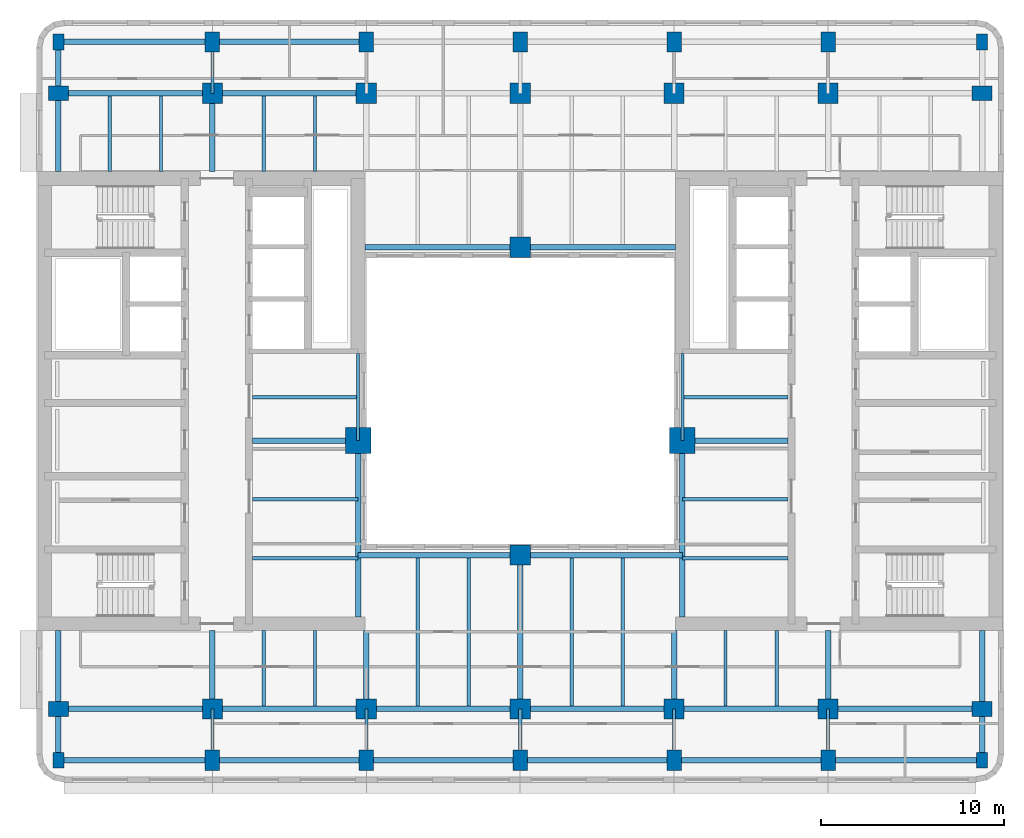
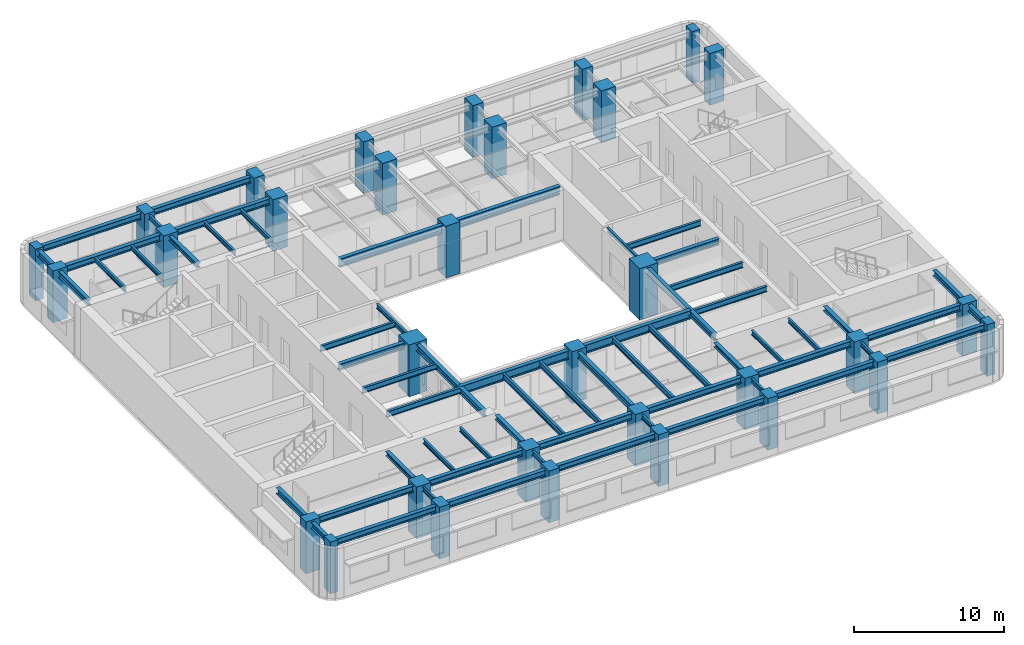
# One storey, part 1 of 11: 62 beams, 32 columns.
"""IFC4 building model written with IfcOpenShell, lengths in metres."""

import ifcopenshell
import ifcopenshell.guid

model = None  # the IFC model being written
_history = None  # IfcOwnerHistory: only IFC2X3 demands one
_inside = {}  # id of a spatial element -> (the spatial element, [elements in it])
_under = {}  # id of a project, library or spatial element -> (it, [spatial elements below it])
_declared = {}  # id of a project -> (the project, [libraries it declares])
_typed = {}  # id of a type object -> (the type object, [elements of that type])
_made_of = {}  # id of a material, layer set ... -> (it, [elements and type objects made of it])


def new_model(schema):
    """Start an empty IFC model of exactly this schema.

    Asked for "IFC4X3", IfcOpenShell would pick the latest addendum, in which some entities
    have other attributes; the version numbers below select the first issue.
    IFC2X3 requires an IfcOwnerHistory on every rooted entity: one is made here for all.
    """
    global model, _history
    if schema == "IFC4X3":
        model = ifcopenshell.file(schema_version=(4, 3, 0, 0))
    else:
        model = ifcopenshell.file(schema=schema)
    _inside.clear()
    _under.clear()
    _declared.clear()
    _typed.clear()
    _made_of.clear()
    _history = None
    if model.schema == "IFC2X3":
        org = make("IfcOrganization", Name="unknown")
        user = make(
            "IfcPersonAndOrganization",
            ThePerson=make("IfcPerson", FamilyName="unknown"),
            TheOrganization=org,
        )
        app = make(
            "IfcApplication",
            ApplicationDeveloper=org,
            Version="unknown",
            ApplicationFullName="unknown",
            ApplicationIdentifier="unknown",
        )
        _history = make(
            "IfcOwnerHistory",
            OwningUser=user,
            OwningApplication=app,
            ChangeAction="ADDED",
            CreationDate=0,
        )
    return model


def make(cls, **values):
    """One entity of the class cls with the attributes given. An attribute that is None is left unset."""
    return model.create_entity(
        cls, **{name: value for name, value in values.items() if value is not None}
    )


def rooted(cls, **values):
    """An entity with a GlobalId (a new one), such as an element, a storey or a relation."""
    return make(cls, GlobalId=ifcopenshell.guid.new(), OwnerHistory=_history, **values)


def si_unit(unit_type, name, prefix=None):
    """IfcSIUnit, for example si_unit("LENGTHUNIT", "METRE", prefix="MILLI")."""
    return make("IfcSIUnit", UnitType=unit_type, Prefix=prefix, Name=name)


def assignment(units):
    """IfcUnitAssignment: the units of a project."""
    return None if units is None else make("IfcUnitAssignment", Units=units)


def point(xyz):
    """IfcCartesianPoint."""
    return None if xyz is None else make("IfcCartesianPoint", Coordinates=xyz)


def direction(xyz):
    """IfcDirection."""
    return None if xyz is None else make("IfcDirection", DirectionRatios=xyz)


def frame(location, z_axis=None, x_axis=None):
    """IfcAxis2Placement3D, a coordinate frame: its origin and axes. An axis left out is left unset."""
    return make(
        "IfcAxis2Placement3D",
        Location=point(location),
        Axis=direction(z_axis),
        RefDirection=direction(x_axis),
    )


def frame_2d(location, x_axis=None):
    """IfcAxis2Placement2D, a coordinate frame in the plane: its origin and x axis."""
    return make(
        "IfcAxis2Placement2D", Location=point(location), RefDirection=direction(x_axis)
    )


def origin():
    """The frame at (0, 0, 0) with its axes left unset."""
    return frame((0.0, 0.0, 0.0))


def origin_2d():
    """The frame at (0, 0) in the plane with its x axis left unset."""
    return frame_2d((0.0, 0.0))


def place(relative_to, where):
    """IfcLocalPlacement: puts the frame where relative to a parent placement (None: the world)."""
    return make(
        "IfcLocalPlacement", PlacementRelTo=relative_to, RelativePlacement=where
    )


def context(
    kind, dimensions, precision=None, world=None, true_north=None, identifier=None
):
    """IfcGeometricRepresentationContext, for example the 3D "Model" context."""
    return make(
        "IfcGeometricRepresentationContext",
        ContextIdentifier=identifier,
        ContextType=kind,
        CoordinateSpaceDimension=dimensions,
        Precision=precision,
        WorldCoordinateSystem=world,
        TrueNorth=true_north,
    )


def subcontext(parent, identifier, kind, view, scale=None):
    """IfcGeometricRepresentationSubContext, for example "Body" below "Model"."""
    return make(
        "IfcGeometricRepresentationSubContext",
        ContextIdentifier=identifier,
        ContextType=kind,
        ParentContext=parent,
        TargetScale=scale,
        TargetView=view,
    )


def project(units=None, contexts=None):
    """IfcProject with its units and contexts."""
    return rooted(
        "IfcProject",
        Name="project",
        RepresentationContexts=contexts,
        UnitsInContext=assignment(units),
    )


def spatial(cls, under=None, at=None, **own):
    """A site, building, storey or space (cls), placed at a placement, below another one or the project."""
    s = rooted(cls, ObjectPlacement=at, **own)
    if under is not None:
        _under.setdefault(under.id(), (under, []))[1].append(s)
    return s


def profile(cls, at=None, kind="AREA", **sizes):
    """A parametric profile (cls). Its sizes go by their IFC names, for example OverallWidth=200.0."""
    return make(cls, ProfileType=kind, Position=at, **sizes)


def rectangle(**sizes):
    """IfcRectangleProfileDef."""
    return profile("IfcRectangleProfileDef", **sizes)


def i_section(**sizes):
    """IfcIShapeProfileDef."""
    return profile("IfcIShapeProfileDef", **sizes)


def extrude(swept, where, along, depth):
    """IfcExtrudedAreaSolid: the profile swept, set in the frame where, extruded along a direction by depth."""
    return make(
        "IfcExtrudedAreaSolid",
        SweptArea=swept,
        Position=where,
        ExtrudedDirection=direction(along),
        Depth=depth,
    )


def shape(context_of_items, identifier, shape_type, items):
    """IfcShapeRepresentation: the items that make up one representation, for example the "Body"."""
    return make(
        "IfcShapeRepresentation",
        ContextOfItems=context_of_items,
        RepresentationIdentifier=identifier,
        RepresentationType=shape_type,
        Items=items,
    )


def material(Name=None, Category=None):
    """IfcMaterial."""
    return make("IfcMaterial", Name=Name, Category=Category)


def material_profile(
    of_material, cross_section, Name=None, Category=None, Priority=None
):
    """IfcMaterialProfile: a cross section and its material."""
    return make(
        "IfcMaterialProfile",
        Name=Name,
        Material=of_material,
        Profile=cross_section,
        Priority=Priority,
        Category=Category,
    )


def profile_set(profiles, Name=None, composite=None):
    """IfcMaterialProfileSet."""
    return make(
        "IfcMaterialProfileSet",
        Name=Name,
        MaterialProfiles=profiles,
        CompositeProfile=composite,
    )


def made_of(thing, what):
    """Note that an element or type object is made of a material, layer set ...; save() writes the relation."""
    if what is not None:
        _made_of.setdefault(what.id(), (what, []))[1].append(thing)
    return thing


def type_object(cls, material=None, **own):
    """A type object (cls), such as IfcWallType, which elements share."""
    return made_of(rooted(cls, **own), material)


def element(
    cls,
    number,
    at=None,
    inside=None,
    cuts=None,
    type_object=None,
    material=None,
    context=None,
    identifier="Body",
    shape_type=None,
    held_by="IfcProductDefinitionShape",
    body=None,
    shapes=None,
    **own,
):
    """One element of the class cls, such as IfcWall. Its Tag is "e" and its number.

    at: its placement. inside: the storey or other place that contains it. cuts: it is an
    opening in that element (IfcRelVoidsElement). A single representation is given by context,
    identifier, shape_type and body (its items); several are given by shapes. held_by: the class
    of the entity that holds the representations. save() writes the other relations.
    """
    e = rooted(cls, Tag="e%d" % number, ObjectPlacement=at, **own)
    if body is not None:
        shapes = [shape(context, identifier, shape_type, body)]
    if shapes is not None:
        e.Representation = make(held_by, Representations=shapes)
    if inside is not None:
        _inside.setdefault(inside.id(), (inside, []))[1].append(e)
    if cuts is not None:
        rooted(
            "IfcRelVoidsElement", RelatingBuildingElement=cuts, RelatedOpeningElement=e
        )
    if type_object is not None:
        _typed.setdefault(type_object.id(), (type_object, []))[1].append(e)
    return made_of(e, material)


def aggregate(whole, parts):
    """IfcRelAggregates: a whole, such as a stair, and the parts it consists of."""
    return rooted("IfcRelAggregates", RelatingObject=whole, RelatedObjects=parts)


def save(model, path):
    """Write the relations noted so far, then the file.

    IfcRelAggregates (storeys below a building ...), IfcRelContainedInSpatialStructure (elements
    in a storey), IfcRelDefinesByType, IfcRelAssociatesMaterial and IfcRelDeclares: one each for
    every whole, place, type object, material and project.
    """
    for whole, parts in _under.values():
        aggregate(whole, parts)
    for where, things in _inside.values():
        rooted(
            "IfcRelContainedInSpatialStructure",
            RelatedElements=things,
            RelatingStructure=where,
        )
    for kind, things in _typed.values():
        rooted("IfcRelDefinesByType", RelatedObjects=things, RelatingType=kind)
    for what, things in _made_of.values():
        rooted("IfcRelAssociatesMaterial", RelatedObjects=things, RelatingMaterial=what)
    for by, libraries in _declared.values():
        rooted("IfcRelDeclares", RelatingContext=by, RelatedDefinitions=libraries)
    model.write(path)


model = new_model("IFC4")

# Units and contexts
model_context = context("Model", 3, precision=1e-05, world=origin(), true_north=direction((0.0, 1.0)))
body_context = subcontext(model_context, "Body", "Model", "MODEL_VIEW")
ifc_project = project(units=[si_unit("LENGTHUNIT", "METRE"), si_unit("AREAUNIT", "SQUARE_METRE"), si_unit("VOLUMEUNIT", "CUBIC_METRE"), si_unit("PLANEANGLEUNIT", "RADIAN"), si_unit("MASSUNIT", "GRAM", prefix="KILO")], contexts=[model_context])

# Site, building, storey
site_placement = place(None, origin())
site = spatial("IfcSite", under=ifc_project, at=site_placement, CompositionType="ELEMENT")
building_placement = place(site_placement, origin())
building = spatial("IfcBuilding", under=site, at=building_placement, Name="Claustro Exchange Tower", CompositionType="ELEMENT")
storey_placement = place(building_placement, frame((0.0, 0.0, 211.199951171875)))
storey = spatial("IfcBuildingStorey", under=building, at=storey_placement, Name="L48", CompositionType="ELEMENT", Elevation=211.199951171875)

# Columns
ifc_material_1 = material(Name="Concrete HA-70 (C70/85)", Category="concrete")
ifc_material_profile_1 = material_profile(ifc_material_1, rectangle(XDim=1.39990234375, YDim=1.39990234375, at=origin_2d()), Name="RC 1400x1400")
ifc_profile_set_1 = profile_set([ifc_material_profile_1], Name="Concrete HA-70 (C70/85)")
column_type_1 = type_object("IfcColumnType", Name="C0 RC 1400x1400 HA-70 column", PredefinedType="COLUMN", material=ifc_profile_set_1)
for number, where, z_axis, x_axis, name in (
    (1, (16.35009765625, 23.050048828125, 0.0), (0.0, 0.0, 1.0), (1.0, 0.0, 0.0), "Column C0 2+7950/C+6250 L48"),
    (2, (34.050048828125, 23.050048828125, 0.0), (0.0, 0.0, 1.0), (1.0, 0.0, 0.0), "Column C0 5+450/C+6250 L48"),
):
    element("IfcColumn", number, at=place(storey_placement, frame(where, z_axis=z_axis, x_axis=x_axis)), inside=storey, type_object=column_type_1, Name=name, PredefinedType="COLUMN", context=body_context, shape_type="SweptSolid", body=[
        extrude(rectangle(XDim=1.39990234375, YDim=1.39990234375, at=origin_2d()), origin(), (0.0, 0.0, 1.0), 4.199951171875),
    ])
ifc_material_2 = material(Name="Concrete HA-70 (C70/85)", Category="concrete")
ifc_material_profile_2 = material_profile(ifc_material_2, rectangle(XDim=1.10009765625, YDim=1.10009765625, at=origin_2d()), Name="RC 1100x1100")
ifc_profile_set_2 = profile_set([ifc_material_profile_2], Name="Concrete HA-70 (C70/85)")
column_type_2 = type_object("IfcColumnType", Name="C17 RC 1100x1100 HA-70 column", PredefinedType="COLUMN", material=ifc_profile_set_2)
for number, where, z_axis, x_axis, name in (
    (3, (8.39990234375, 8.39990234375, 0.0), (0.0, 0.0, 1.0), (1.0, 0.0, 0.0), "Column C17 2/B L48"),
    (4, (8.39990234375, 42.0, 0.0), (0.0, 0.0, 1.0), (1.0, 0.0, 0.0), "Column C17 2/F L48"),
    (5, (16.800048828125, 8.39990234375, 0.0), (0.0, 0.0, 1.0), (1.0, 0.0, 0.0), "Column C17 3/B L48"),
    (6, (16.800048828125, 42.0, 0.0), (0.0, 0.0, 1.0), (1.0, 0.0, 0.0), "Column C17 3/F L48"),
    (7, (25.199951171875, 8.39990234375, 0.0), (0.0, 0.0, 1.0), (1.0, 0.0, 0.0), "Column C17 4/B L48"),
    (8, (25.199951171875, 42.0, 0.0), (0.0, 0.0, 1.0), (1.0, 0.0, 0.0), "Column C17 4/F L48"),
    (9, (25.199951171875, 16.800048828125, 0.0), (0.0, 0.0, 1.0), (1.0, 0.0, 0.0), "Column C17 4/C L48"),
    (10, (25.199951171875, 33.60009765625, 0.0), (0.0, 0.0, 1.0), (1.0, 0.0, 0.0), "Column C17 4/E L48"),
    (11, (33.60009765625, 8.39990234375, 0.0), (0.0, 0.0, 1.0), (1.0, 0.0, 0.0), "Column C17 5/B L48"),
    (12, (33.60009765625, 42.0, 0.0), (0.0, 0.0, 1.0), (1.0, 0.0, 0.0), "Column C17 5/F L48"),
    (13, (42.0, 8.39990234375, 0.0), (0.0, 0.0, 1.0), (1.0, 0.0, 0.0), "Column C17 6/B L48"),
    (14, (42.0, 42.0, 0.0), (0.0, 0.0, 1.0), (1.0, 0.0, 0.0), "Column C17 6/F L48"),
):
    element("IfcColumn", number, at=place(storey_placement, frame(where, z_axis=z_axis, x_axis=x_axis)), inside=storey, type_object=column_type_2, Name=name, PredefinedType="COLUMN", context=body_context, shape_type="SweptSolid", body=[
        extrude(rectangle(XDim=1.10009765625, YDim=1.10009765625, at=origin_2d()), origin(), (0.0, 0.0, 1.0), 4.199951171875),
    ])
ifc_material_3 = material(Name="Concrete HA-50 (C50/60)", Category="concrete")
ifc_material_profile_3 = material_profile(ifc_material_3, rectangle(XDim=0.800048828125, YDim=1.10009765625, at=origin_2d()), Name="RC 800x1100")
ifc_profile_set_3 = profile_set([ifc_material_profile_3], Name="Concrete HA-50 (C50/60)")
column_type_3 = type_object("IfcColumnType", Name="C23 RC 800x1100 HA-50 perimeter column", PredefinedType="COLUMN", material=ifc_profile_set_3)
for number, where, z_axis, x_axis, name in (
    (15, (0.0, 8.39990234375, 0.0), (0.0, 0.0, 1.0), (0.0, 1.0, 0.0), "Column C23 1/B L48"),
    (16, (0.0, 42.0, 0.0), (0.0, 0.0, 1.0), (0.0, 1.0, 0.0), "Column C23 1/F L48"),
    (17, (8.39990234375, 5.60009765625, 0.0), (0.0, 0.0, 1.0), (1.0, 0.0, 0.0), "Column C23 2/A+5600 L48"),
    (18, (8.39990234375, 44.800048828125, 0.0), (0.0, 0.0, 1.0), (1.0, 0.0, 0.0), "Column C23 2/F+2800 L48"),
    (19, (16.800048828125, 5.60009765625, 0.0), (0.0, 0.0, 1.0), (1.0, 0.0, 0.0), "Column C23 3/A+5600 L48"),
    (20, (16.800048828125, 44.800048828125, 0.0), (0.0, 0.0, 1.0), (1.0, 0.0, 0.0), "Column C23 3/F+2800 L48"),
    (21, (25.199951171875, 5.60009765625, 0.0), (0.0, 0.0, 1.0), (1.0, 0.0, 0.0), "Column C23 4/A+5600 L48"),
    (22, (25.199951171875, 44.800048828125, 0.0), (0.0, 0.0, 1.0), (1.0, 0.0, 0.0), "Column C23 4/F+2800 L48"),
    (23, (33.60009765625, 5.60009765625, 0.0), (0.0, 0.0, 1.0), (1.0, 0.0, 0.0), "Column C23 5/A+5600 L48"),
    (24, (33.60009765625, 44.800048828125, 0.0), (0.0, 0.0, 1.0), (1.0, 0.0, 0.0), "Column C23 5/F+2800 L48"),
    (25, (42.0, 5.60009765625, 0.0), (0.0, 0.0, 1.0), (1.0, 0.0, 0.0), "Column C23 6/A+5600 L48"),
    (26, (42.0, 44.800048828125, 0.0), (0.0, 0.0, 1.0), (1.0, 0.0, 0.0), "Column C23 6/F+2800 L48"),
    (27, (50.39990234375, 8.39990234375, 0.0), (0.0, 0.0, 1.0), (0.0, 1.0, 0.0), "Column C23 7/B L48"),
    (28, (50.39990234375, 42.0, 0.0), (0.0, 0.0, 1.0), (0.0, 1.0, 0.0), "Column C23 7/F L48"),
):
    element("IfcColumn", number, at=place(storey_placement, frame(where, z_axis=z_axis, x_axis=x_axis)), inside=storey, type_object=column_type_3, Name=name, PredefinedType="COLUMN", context=body_context, shape_type="SweptSolid", body=[
        extrude(rectangle(XDim=0.800048828125, YDim=1.10009765625, at=origin_2d()), origin(), (0.0, 0.0, 1.0), 4.199951171875),
    ])
ifc_material_4 = material(Name="Concrete HA-50 (C50/60)", Category="concrete")
ifc_material_profile_4 = material_profile(ifc_material_4, rectangle(XDim=0.60009765625, YDim=0.85009765625, at=origin_2d()), Name="RC 600x850")
ifc_profile_set_4 = profile_set([ifc_material_profile_4], Name="Concrete HA-50 (C50/60)")
column_type_4 = type_object("IfcColumnType", Name="C25 RC 600x850 HA-50 corner column", PredefinedType="COLUMN", material=ifc_profile_set_4)
for number, where, z_axis, x_axis, name in (
    (29, (0.0, 5.60009765625, 0.0), (0.0, 0.0, 1.0), (1.0, 0.0, 0.0), "Column C25 1/A+5600 L48"),
    (30, (0.0, 44.800048828125, 0.0), (0.0, 0.0, 1.0), (1.0, 0.0, 0.0), "Column C25 1/F+2800 L48"),
    (31, (50.39990234375, 5.60009765625, 0.0), (0.0, 0.0, 1.0), (1.0, 0.0, 0.0), "Column C25 7/A+5600 L48"),
    (32, (50.39990234375, 44.800048828125, 0.0), (0.0, 0.0, 1.0), (1.0, 0.0, 0.0), "Column C25 7/F+2800 L48"),
):
    element("IfcColumn", number, at=place(storey_placement, frame(where, z_axis=z_axis, x_axis=x_axis)), inside=storey, type_object=column_type_4, Name=name, PredefinedType="COLUMN", context=body_context, shape_type="SweptSolid", body=[
        extrude(rectangle(XDim=0.60009765625, YDim=0.85009765625, at=origin_2d()), origin(), (0.0, 0.0, 1.0), 4.199951171875),
    ])

# Beams
ifc_material_5 = material(Name="Steel S355", Category="steel")
ifc_material_profile_5 = material_profile(ifc_material_5, i_section(OverallWidth=0.300048828125, OverallDepth=0.68994140625, WebThickness=0.014404296875, FlangeThickness=0.027099609375, FilletRadius=0.027099609375, at=origin_2d()), Name="HE 700 A")
ifc_profile_set_5 = profile_set([ifc_material_profile_5], Name="Steel S355")
beam_type_1 = type_object("IfcBeamType", Name="B13 HE 700 A light well edge girder", PredefinedType="BEAM", material=ifc_profile_set_5)
beam_1_placement = place(storey_placement, frame((16.35009765625, 16.800048828125, 3.705078125), z_axis=(1.0, 0.0, 0.0), x_axis=(0.0, 1.0, 0.0)))
element("IfcBeam", 33, at=beam_1_placement, inside=storey, type_object=beam_type_1, Name="Beam B13 L49", PredefinedType="BEAM", context=body_context, shape_type="SweptSolid", body=[
    extrude(i_section(OverallWidth=0.300048828125, OverallDepth=0.68994140625, WebThickness=0.014404296875, FlangeThickness=0.027099609375, FilletRadius=0.027099609375, at=origin_2d()), origin(), (0.0, 0.0, 1.0), 8.849853515625),
])
beam_2_placement = place(storey_placement, frame((25.199951171875, 16.800048828125, 3.705078125), z_axis=(1.0, 0.0, 0.0), x_axis=(0.0, 1.0, 0.0)))
element("IfcBeam", 34, at=beam_2_placement, inside=storey, type_object=beam_type_1, Name="Beam B13 L49", PredefinedType="BEAM", context=body_context, shape_type="SweptSolid", body=[
    extrude(i_section(OverallWidth=0.300048828125, OverallDepth=0.68994140625, WebThickness=0.014404296875, FlangeThickness=0.027099609375, FilletRadius=0.027099609375, at=origin_2d()), origin(), (0.0, 0.0, 1.0), 8.85009765625),
])
beam_3_placement = place(storey_placement, frame((16.72509765625, 33.60009765625, 3.705078125), z_axis=(1.0, 0.0, 0.0), x_axis=(0.0, 1.0, 0.0)))
element("IfcBeam", 35, at=beam_3_placement, inside=storey, type_object=beam_type_1, Name="Beam B13 L49", PredefinedType="BEAM", context=body_context, shape_type="SweptSolid", body=[
    extrude(i_section(OverallWidth=0.300048828125, OverallDepth=0.68994140625, WebThickness=0.014404296875, FlangeThickness=0.027099609375, FilletRadius=0.027099609375, at=origin_2d()), origin(), (0.0, 0.0, 1.0), 8.474853515625),
])
beam_4_placement = place(storey_placement, frame((25.199951171875, 33.60009765625, 3.705078125), z_axis=(1.0, 0.0, 0.0), x_axis=(0.0, 1.0, 0.0)))
element("IfcBeam", 36, at=beam_4_placement, inside=storey, type_object=beam_type_1, Name="Beam B13 L49", PredefinedType="BEAM", context=body_context, shape_type="SweptSolid", body=[
    extrude(i_section(OverallWidth=0.300048828125, OverallDepth=0.68994140625, WebThickness=0.014404296875, FlangeThickness=0.027099609375, FilletRadius=0.027099609375, at=origin_2d()), origin(), (0.0, 0.0, 1.0), 8.47509765625),
])
ifc_material_6 = material(Name="Steel S355", Category="steel")
ifc_material_profile_6 = material_profile(ifc_material_6, i_section(OverallWidth=0.169921875, OverallDepth=0.360107421875, WebThickness=0.008056640625, FlangeThickness=0.0126953125, FilletRadius=0.01806640625, at=origin_2d()), Name="IPE 360")
ifc_profile_set_6 = profile_set([ifc_material_profile_6], Name="Steel S355")
beam_type_2 = type_object("IfcBeamType", Name="B16 IPE 360 short-span beam", PredefinedType="BEAM", material=ifc_profile_set_6)
beam_5_placement = place(storey_placement, frame((8.39990234375, 5.60009765625, 3.8701171875), z_axis=(0.0, 1.0, 0.0), x_axis=(-1.0, 0.0, 0.0)))
element("IfcBeam", 37, at=beam_5_placement, inside=storey, type_object=beam_type_2, Name="Beam B16 L49", PredefinedType="BEAM", context=body_context, shape_type="SweptSolid", body=[
    extrude(i_section(OverallWidth=0.169921875, OverallDepth=0.360107421875, WebThickness=0.008056640625, FlangeThickness=0.0126953125, FilletRadius=0.01806640625, at=origin_2d()), origin(), (0.0, 0.0, 1.0), 2.7998046875),
])
beam_6_placement = place(storey_placement, frame((8.39990234375, 42.0, 3.8701171875), z_axis=(0.0, 1.0, 0.0), x_axis=(-1.0, 0.0, 0.0)))
element("IfcBeam", 38, at=beam_6_placement, inside=storey, type_object=beam_type_2, Name="Beam B16 L49", PredefinedType="BEAM", context=body_context, shape_type="SweptSolid", body=[
    extrude(i_section(OverallWidth=0.169921875, OverallDepth=0.360107421875, WebThickness=0.008056640625, FlangeThickness=0.0126953125, FilletRadius=0.01806640625, at=origin_2d()), origin(), (0.0, 0.0, 1.0), 2.800048828125),
])
for number, where, z_axis, x_axis, name in (
    (39, (16.800048828125, 5.60009765625, 3.8701171875), (0.0, 1.0, 0.0), (-1.0, 0.0, 0.0), "Beam B16 L49"),
    (40, (25.199951171875, 5.60009765625, 3.8701171875), (0.0, 1.0, 0.0), (-1.0, 0.0, 0.0), "Beam B16 L49"),
    (41, (33.60009765625, 5.60009765625, 3.8701171875), (0.0, 1.0, 0.0), (-1.0, 0.0, 0.0), "Beam B16 L49"),
    (42, (42.0, 5.60009765625, 3.8701171875), (0.0, 1.0, 0.0), (-1.0, 0.0, 0.0), "Beam B16 L49"),
):
    element("IfcBeam", number, at=place(storey_placement, frame(where, z_axis=z_axis, x_axis=x_axis)), inside=storey, type_object=beam_type_2, Name=name, PredefinedType="BEAM", context=body_context, shape_type="SweptSolid", body=[
        extrude(i_section(OverallWidth=0.169921875, OverallDepth=0.360107421875, WebThickness=0.008056640625, FlangeThickness=0.0126953125, FilletRadius=0.01806640625, at=origin_2d()), origin(), (0.0, 0.0, 1.0), 2.7998046875),
    ])
for number, where, z_axis, x_axis, name in (
    (43, (2.800048828125, 37.72509765625, 3.8701171875), (0.0, 1.0, 0.0), (-1.0, 0.0, 0.0), "Beam B16 L49"),
    (44, (5.60009765625, 37.72509765625, 3.8701171875), (0.0, 1.0, 0.0), (-1.0, 0.0, 0.0), "Beam B16 L49"),
    (45, (11.199951171875, 8.550048828125, 3.8701171875), (0.0, 1.0, 0.0), (-1.0, 0.0, 0.0), "Beam B16 L49"),
    (46, (14.0, 8.550048828125, 3.8701171875), (0.0, 1.0, 0.0), (-1.0, 0.0, 0.0), "Beam B16 L49"),
    (47, (11.199951171875, 37.72509765625, 3.8701171875), (0.0, 1.0, 0.0), (-1.0, 0.0, 0.0), "Beam B16 L49"),
    (48, (14.0, 37.72509765625, 3.8701171875), (0.0, 1.0, 0.0), (-1.0, 0.0, 0.0), "Beam B16 L49"),
    (49, (36.39990234375, 8.550048828125, 3.8701171875), (0.0, 1.0, 0.0), (-1.0, 0.0, 0.0), "Beam B16 L49"),
    (50, (39.199951171875, 8.550048828125, 3.8701171875), (0.0, 1.0, 0.0), (-1.0, 0.0, 0.0), "Beam B16 L49"),
):
    element("IfcBeam", number, at=place(storey_placement, frame(where, z_axis=z_axis, x_axis=x_axis)), inside=storey, type_object=beam_type_2, Name=name, PredefinedType="BEAM", context=body_context, shape_type="SweptSolid", body=[
        extrude(i_section(OverallWidth=0.169921875, OverallDepth=0.360107421875, WebThickness=0.008056640625, FlangeThickness=0.0126953125, FilletRadius=0.01806640625, at=origin_2d()), origin(), (0.0, 0.0, 1.0), 4.125),
    ])
for number, where, z_axis, x_axis, name in (
    (51, (16.35009765625, 23.050048828125, 3.8701171875), (0.0, 1.0, 0.0), (-1.0, 0.0, 0.0), "Beam B16 core step framing L49"),
    (52, (34.050048828125, 23.050048828125, 3.8701171875), (0.0, 1.0, 0.0), (-1.0, 0.0, 0.0), "Beam B16 core step framing L49"),
):
    element("IfcBeam", number, at=place(storey_placement, frame(where, z_axis=z_axis, x_axis=x_axis)), inside=storey, type_object=beam_type_2, Name=name, PredefinedType="BEAM", context=body_context, shape_type="SweptSolid", body=[
        extrude(i_section(OverallWidth=0.169921875, OverallDepth=0.360107421875, WebThickness=0.008056640625, FlangeThickness=0.0126953125, FilletRadius=0.01806640625, at=origin_2d()), origin(), (0.0, 0.0, 1.0), 4.75),
    ])
ifc_material_7 = material(Name="Steel S355", Category="steel")
ifc_material_profile_7 = material_profile(ifc_material_7, i_section(OverallWidth=0.300048828125, OverallDepth=0.360107421875, WebThickness=0.012451171875, FlangeThickness=0.0224609375, FilletRadius=0.027099609375, at=origin_2d()), Name="HE 360 B")
ifc_profile_set_7 = profile_set([ifc_material_profile_7], Name="Steel S355")
beam_type_3 = type_object("IfcBeamType", Name="B29 HE 360 B column to core link beam", PredefinedType="BEAM", material=ifc_profile_set_7)
beam_7_placement = place(storey_placement, frame((8.39990234375, 8.39990234375, 3.8701171875), z_axis=(0.0, 1.0, 0.0), x_axis=(-1.0, 0.0, 0.0)))
element("IfcBeam", 53, at=beam_7_placement, inside=storey, type_object=beam_type_3, Name="Beam B29 L49", PredefinedType="BEAM", context=body_context, shape_type="SweptSolid", body=[
    extrude(i_section(OverallWidth=0.300048828125, OverallDepth=0.360107421875, WebThickness=0.012451171875, FlangeThickness=0.0224609375, FilletRadius=0.027099609375, at=origin_2d()), origin(), (0.0, 0.0, 1.0), 4.275146484375),
])
beam_8_placement = place(storey_placement, frame((8.39990234375, 37.72509765625, 3.8701171875), z_axis=(0.0, 1.0, 0.0), x_axis=(-1.0, 0.0, 0.0)))
element("IfcBeam", 54, at=beam_8_placement, inside=storey, type_object=beam_type_3, Name="Beam B29 L49", PredefinedType="BEAM", context=body_context, shape_type="SweptSolid", body=[
    extrude(i_section(OverallWidth=0.300048828125, OverallDepth=0.360107421875, WebThickness=0.012451171875, FlangeThickness=0.0224609375, FilletRadius=0.027099609375, at=origin_2d()), origin(), (0.0, 0.0, 1.0), 4.27490234375),
])
for number, where, z_axis, x_axis, name in (
    (55, (16.800048828125, 8.39990234375, 3.8701171875), (0.0, 1.0, 0.0), (-1.0, 0.0, 0.0), "Beam B29 L49"),
    (56, (33.60009765625, 8.39990234375, 3.8701171875), (0.0, 1.0, 0.0), (-1.0, 0.0, 0.0), "Beam B29 L49"),
    (57, (42.0, 8.39990234375, 3.8701171875), (0.0, 1.0, 0.0), (-1.0, 0.0, 0.0), "Beam B29 L49"),
):
    element("IfcBeam", number, at=place(storey_placement, frame(where, z_axis=z_axis, x_axis=x_axis)), inside=storey, type_object=beam_type_3, Name=name, PredefinedType="BEAM", context=body_context, shape_type="SweptSolid", body=[
        extrude(i_section(OverallWidth=0.300048828125, OverallDepth=0.360107421875, WebThickness=0.012451171875, FlangeThickness=0.0224609375, FilletRadius=0.027099609375, at=origin_2d()), origin(), (0.0, 0.0, 1.0), 4.275146484375),
    ])
ifc_material_8 = material(Name="Steel S355", Category="steel")
ifc_material_profile_8 = material_profile(ifc_material_8, i_section(OverallWidth=0.300048828125, OverallDepth=0.5, WebThickness=0.014404296875, FlangeThickness=0.028076171875, FilletRadius=0.027099609375, at=origin_2d()), Name="HE 500 B")
ifc_profile_set_8 = profile_set([ifc_material_profile_8], Name="Steel S355")
beam_type_4 = type_object("IfcBeamType", Name="B7 HE 500 B floor girder", PredefinedType="BEAM", material=ifc_profile_set_8)
beam_9_placement = place(storey_placement, frame((25.199951171875, 8.39990234375, 3.800048828125), z_axis=(0.0, 1.0, 0.0), x_axis=(-1.0, 0.0, 0.0)))
element("IfcBeam", 58, at=beam_9_placement, inside=storey, type_object=beam_type_4, Name="Beam B7 L49", PredefinedType="BEAM", context=body_context, shape_type="SweptSolid", body=[
    extrude(i_section(OverallWidth=0.300048828125, OverallDepth=0.5, WebThickness=0.014404296875, FlangeThickness=0.028076171875, FilletRadius=0.027099609375, at=origin_2d()), origin(), (0.0, 0.0, 1.0), 8.400146484375),
])
beam_10_placement = place(storey_placement, frame((0.0, 8.39990234375, 3.800048828125), z_axis=(1.0, 0.0, 0.0), x_axis=(0.0, 1.0, 0.0)))
element("IfcBeam", 59, at=beam_10_placement, inside=storey, type_object=beam_type_4, Name="Beam B7 L49", PredefinedType="BEAM", context=body_context, shape_type="SweptSolid", body=[
    extrude(i_section(OverallWidth=0.300048828125, OverallDepth=0.5, WebThickness=0.014404296875, FlangeThickness=0.028076171875, FilletRadius=0.027099609375, at=origin_2d()), origin(), (0.0, 0.0, 1.0), 8.39990234375),
])
beam_11_placement = place(storey_placement, frame((8.39990234375, 8.39990234375, 3.800048828125), z_axis=(1.0, 0.0, 0.0), x_axis=(0.0, 1.0, 0.0)))
element("IfcBeam", 60, at=beam_11_placement, inside=storey, type_object=beam_type_4, Name="Beam B7 L49", PredefinedType="BEAM", context=body_context, shape_type="SweptSolid", body=[
    extrude(i_section(OverallWidth=0.300048828125, OverallDepth=0.5, WebThickness=0.014404296875, FlangeThickness=0.028076171875, FilletRadius=0.027099609375, at=origin_2d()), origin(), (0.0, 0.0, 1.0), 8.400146484375),
])
beam_12_placement = place(storey_placement, frame((16.800048828125, 8.39990234375, 3.800048828125), z_axis=(1.0, 0.0, 0.0), x_axis=(0.0, 1.0, 0.0)))
element("IfcBeam", 61, at=beam_12_placement, inside=storey, type_object=beam_type_4, Name="Beam B7 L49", PredefinedType="BEAM", context=body_context, shape_type="SweptSolid", body=[
    extrude(i_section(OverallWidth=0.300048828125, OverallDepth=0.5, WebThickness=0.014404296875, FlangeThickness=0.028076171875, FilletRadius=0.027099609375, at=origin_2d()), origin(), (0.0, 0.0, 1.0), 8.39990234375),
])
beam_13_placement = place(storey_placement, frame((25.199951171875, 8.39990234375, 3.800048828125), z_axis=(1.0, 0.0, 0.0), x_axis=(0.0, 1.0, 0.0)))
element("IfcBeam", 62, at=beam_13_placement, inside=storey, type_object=beam_type_4, Name="Beam B7 L49", PredefinedType="BEAM", context=body_context, shape_type="SweptSolid", body=[
    extrude(i_section(OverallWidth=0.300048828125, OverallDepth=0.5, WebThickness=0.014404296875, FlangeThickness=0.028076171875, FilletRadius=0.027099609375, at=origin_2d()), origin(), (0.0, 0.0, 1.0), 8.400146484375),
])
for number, where, z_axis, x_axis, name in (
    (63, (33.60009765625, 8.39990234375, 3.800048828125), (1.0, 0.0, 0.0), (0.0, 1.0, 0.0), "Beam B7 L49"),
    (64, (42.0, 8.39990234375, 3.800048828125), (1.0, 0.0, 0.0), (0.0, 1.0, 0.0), "Beam B7 L49"),
    (65, (0.0, 42.0, 3.800048828125), (1.0, 0.0, 0.0), (0.0, 1.0, 0.0), "Beam B7 L49"),
):
    element("IfcBeam", number, at=place(storey_placement, frame(where, z_axis=z_axis, x_axis=x_axis)), inside=storey, type_object=beam_type_4, Name=name, PredefinedType="BEAM", context=body_context, shape_type="SweptSolid", body=[
        extrude(i_section(OverallWidth=0.300048828125, OverallDepth=0.5, WebThickness=0.014404296875, FlangeThickness=0.028076171875, FilletRadius=0.027099609375, at=origin_2d()), origin(), (0.0, 0.0, 1.0), 8.39990234375),
    ])
beam_14_placement = place(storey_placement, frame((8.39990234375, 42.0, 3.800048828125), z_axis=(1.0, 0.0, 0.0), x_axis=(0.0, 1.0, 0.0)))
element("IfcBeam", 66, at=beam_14_placement, inside=storey, type_object=beam_type_4, Name="Beam B7 L49", PredefinedType="BEAM", context=body_context, shape_type="SweptSolid", body=[
    extrude(i_section(OverallWidth=0.300048828125, OverallDepth=0.5, WebThickness=0.014404296875, FlangeThickness=0.028076171875, FilletRadius=0.027099609375, at=origin_2d()), origin(), (0.0, 0.0, 1.0), 8.400146484375),
])
beam_15_placement = place(storey_placement, frame((10.60009765625, 23.050048828125, 3.800048828125), z_axis=(1.0, 0.0, 0.0), x_axis=(0.0, 1.0, 0.0)))
element("IfcBeam", 67, at=beam_15_placement, inside=storey, type_object=beam_type_4, Name="Beam B7 core step framing L49", PredefinedType="BEAM", context=body_context, shape_type="SweptSolid", body=[
    extrude(i_section(OverallWidth=0.300048828125, OverallDepth=0.5, WebThickness=0.014404296875, FlangeThickness=0.028076171875, FilletRadius=0.027099609375, at=origin_2d()), origin(), (0.0, 0.0, 1.0), 5.75),
])
beam_16_placement = place(storey_placement, frame((16.35009765625, 13.425048828125, 3.800048828125), z_axis=(0.0, 1.0, 0.0), x_axis=(-1.0, 0.0, 0.0)))
element("IfcBeam", 68, at=beam_16_placement, inside=storey, type_object=beam_type_4, Name="Beam B7 core step framing L49", PredefinedType="BEAM", context=body_context, shape_type="SweptSolid", body=[
    extrude(i_section(OverallWidth=0.300048828125, OverallDepth=0.5, WebThickness=0.014404296875, FlangeThickness=0.028076171875, FilletRadius=0.027099609375, at=origin_2d()), origin(), (0.0, 0.0, 1.0), 9.625),
])
beam_17_placement = place(storey_placement, frame((34.050048828125, 23.050048828125, 3.800048828125), z_axis=(1.0, 0.0, 0.0), x_axis=(0.0, 1.0, 0.0)))
element("IfcBeam", 69, at=beam_17_placement, inside=storey, type_object=beam_type_4, Name="Beam B7 core step framing L49", PredefinedType="BEAM", context=body_context, shape_type="SweptSolid", body=[
    extrude(i_section(OverallWidth=0.300048828125, OverallDepth=0.5, WebThickness=0.014404296875, FlangeThickness=0.028076171875, FilletRadius=0.027099609375, at=origin_2d()), origin(), (0.0, 0.0, 1.0), 5.75),
])
beam_18_placement = place(storey_placement, frame((34.050048828125, 13.425048828125, 3.800048828125), z_axis=(0.0, 1.0, 0.0), x_axis=(-1.0, 0.0, 0.0)))
element("IfcBeam", 70, at=beam_18_placement, inside=storey, type_object=beam_type_4, Name="Beam B7 core step framing L49", PredefinedType="BEAM", context=body_context, shape_type="SweptSolid", body=[
    extrude(i_section(OverallWidth=0.300048828125, OverallDepth=0.5, WebThickness=0.014404296875, FlangeThickness=0.028076171875, FilletRadius=0.027099609375, at=origin_2d()), origin(), (0.0, 0.0, 1.0), 9.625),
])
ifc_material_9 = material(Name="Steel S355", Category="steel")
ifc_material_profile_9 = material_profile(ifc_material_9, i_section(OverallWidth=0.18994140625, OverallDepth=0.449951171875, WebThickness=0.009521484375, FlangeThickness=0.0146484375, FilletRadius=0.02099609375, at=origin_2d()), Name="IPE 450")
ifc_profile_set_9 = profile_set([ifc_material_profile_9], Name="Steel S355")
beam_type_5 = type_object("IfcBeamType", Name="B8 IPE 450 secondary beam", PredefinedType="BEAM", material=ifc_profile_set_9)
for number, where, z_axis, x_axis, name in (
    (71, (19.60009765625, 8.550048828125, 3.824951171875), (0.0, 1.0, 0.0), (-1.0, 0.0, 0.0), "Beam B8 L49"),
    (72, (22.39990234375, 8.550048828125, 3.824951171875), (0.0, 1.0, 0.0), (-1.0, 0.0, 0.0), "Beam B8 L49"),
    (73, (28.0, 8.550048828125, 3.824951171875), (0.0, 1.0, 0.0), (-1.0, 0.0, 0.0), "Beam B8 L49"),
    (74, (30.800048828125, 8.550048828125, 3.824951171875), (0.0, 1.0, 0.0), (-1.0, 0.0, 0.0), "Beam B8 L49"),
):
    element("IfcBeam", number, at=place(storey_placement, frame(where, z_axis=z_axis, x_axis=x_axis)), inside=storey, type_object=beam_type_5, Name=name, PredefinedType="BEAM", context=body_context, shape_type="SweptSolid", body=[
        extrude(i_section(OverallWidth=0.18994140625, OverallDepth=0.449951171875, WebThickness=0.009521484375, FlangeThickness=0.0146484375, FilletRadius=0.02099609375, at=origin_2d()), origin(), (0.0, 0.0, 1.0), 8.099853515625),
    ])
for number, where, z_axis, x_axis, name in (
    (75, (10.60009765625, 16.63330078125, 3.824951171875), (1.0, 0.0, 0.0), (0.0, 1.0, 0.0), "Beam B8 core step framing L49"),
    (76, (10.60009765625, 19.841796875, 3.824951171875), (1.0, 0.0, 0.0), (0.0, 1.0, 0.0), "Beam B8 core step framing L49"),
    (77, (10.60009765625, 25.425048828125, 3.824951171875), (1.0, 0.0, 0.0), (0.0, 1.0, 0.0), "Beam B8 core step framing L49"),
    (78, (34.050048828125, 16.63330078125, 3.824951171875), (1.0, 0.0, 0.0), (0.0, 1.0, 0.0), "Beam B8 core step framing L49"),
    (79, (34.050048828125, 19.841796875, 3.824951171875), (1.0, 0.0, 0.0), (0.0, 1.0, 0.0), "Beam B8 core step framing L49"),
    (80, (34.050048828125, 25.425048828125, 3.824951171875), (1.0, 0.0, 0.0), (0.0, 1.0, 0.0), "Beam B8 core step framing L49"),
):
    element("IfcBeam", number, at=place(storey_placement, frame(where, z_axis=z_axis, x_axis=x_axis)), inside=storey, type_object=beam_type_5, Name=name, PredefinedType="BEAM", context=body_context, shape_type="SweptSolid", body=[
        extrude(i_section(OverallWidth=0.18994140625, OverallDepth=0.449951171875, WebThickness=0.009521484375, FlangeThickness=0.0146484375, FilletRadius=0.02099609375, at=origin_2d()), origin(), (0.0, 0.0, 1.0), 5.75),
    ])
ifc_material_10 = material(Name="Steel S355", Category="steel")
ifc_material_profile_10 = material_profile(ifc_material_10, i_section(OverallWidth=0.300048828125, OverallDepth=0.489990234375, WebThickness=0.011962890625, FlangeThickness=0.02294921875, FilletRadius=0.027099609375, at=origin_2d()), Name="HE 500 A")
ifc_profile_set_10 = profile_set([ifc_material_profile_10], Name="Steel S355")
beam_type_6 = type_object("IfcBeamType", Name="B9 HE 500 A spandrel edge girder", PredefinedType="SPANDREL", material=ifc_profile_set_10)
beam_19_placement = place(storey_placement, frame((0.0, 5.60009765625, 3.804931640625), z_axis=(0.0, 1.0, 0.0), x_axis=(-1.0, 0.0, 0.0)))
element("IfcBeam", 81, at=beam_19_placement, inside=storey, type_object=beam_type_6, Name="Beam B9 L49", PredefinedType="SPANDREL", context=body_context, shape_type="SweptSolid", body=[
    extrude(i_section(OverallWidth=0.300048828125, OverallDepth=0.489990234375, WebThickness=0.011962890625, FlangeThickness=0.02294921875, FilletRadius=0.027099609375, at=origin_2d()), origin(), (0.0, 0.0, 1.0), 2.7998046875),
])
beam_20_placement = place(storey_placement, frame((0.0, 8.39990234375, 3.804931640625), z_axis=(0.0, 1.0, 0.0), x_axis=(-1.0, 0.0, 0.0)))
element("IfcBeam", 82, at=beam_20_placement, inside=storey, type_object=beam_type_6, Name="Beam B9 L49", PredefinedType="SPANDREL", context=body_context, shape_type="SweptSolid", body=[
    extrude(i_section(OverallWidth=0.300048828125, OverallDepth=0.489990234375, WebThickness=0.011962890625, FlangeThickness=0.02294921875, FilletRadius=0.027099609375, at=origin_2d()), origin(), (0.0, 0.0, 1.0), 4.275146484375),
])
beam_21_placement = place(storey_placement, frame((0.0, 37.72509765625, 3.804931640625), z_axis=(0.0, 1.0, 0.0), x_axis=(-1.0, 0.0, 0.0)))
element("IfcBeam", 83, at=beam_21_placement, inside=storey, type_object=beam_type_6, Name="Beam B9 L49", PredefinedType="SPANDREL", context=body_context, shape_type="SweptSolid", body=[
    extrude(i_section(OverallWidth=0.300048828125, OverallDepth=0.489990234375, WebThickness=0.011962890625, FlangeThickness=0.02294921875, FilletRadius=0.027099609375, at=origin_2d()), origin(), (0.0, 0.0, 1.0), 4.27490234375),
])
beam_22_placement = place(storey_placement, frame((0.0, 42.0, 3.804931640625), z_axis=(0.0, 1.0, 0.0), x_axis=(-1.0, 0.0, 0.0)))
element("IfcBeam", 84, at=beam_22_placement, inside=storey, type_object=beam_type_6, Name="Beam B9 L49", PredefinedType="SPANDREL", context=body_context, shape_type="SweptSolid", body=[
    extrude(i_section(OverallWidth=0.300048828125, OverallDepth=0.489990234375, WebThickness=0.011962890625, FlangeThickness=0.02294921875, FilletRadius=0.027099609375, at=origin_2d()), origin(), (0.0, 0.0, 1.0), 2.800048828125),
])
beam_23_placement = place(storey_placement, frame((50.39990234375, 5.60009765625, 3.804931640625), z_axis=(0.0, 1.0, 0.0), x_axis=(-1.0, 0.0, 0.0)))
element("IfcBeam", 85, at=beam_23_placement, inside=storey, type_object=beam_type_6, Name="Beam B9 L49", PredefinedType="SPANDREL", context=body_context, shape_type="SweptSolid", body=[
    extrude(i_section(OverallWidth=0.300048828125, OverallDepth=0.489990234375, WebThickness=0.011962890625, FlangeThickness=0.02294921875, FilletRadius=0.027099609375, at=origin_2d()), origin(), (0.0, 0.0, 1.0), 2.7998046875),
])
beam_24_placement = place(storey_placement, frame((50.39990234375, 8.39990234375, 3.804931640625), z_axis=(0.0, 1.0, 0.0), x_axis=(-1.0, 0.0, 0.0)))
element("IfcBeam", 86, at=beam_24_placement, inside=storey, type_object=beam_type_6, Name="Beam B9 L49", PredefinedType="SPANDREL", context=body_context, shape_type="SweptSolid", body=[
    extrude(i_section(OverallWidth=0.300048828125, OverallDepth=0.489990234375, WebThickness=0.011962890625, FlangeThickness=0.02294921875, FilletRadius=0.027099609375, at=origin_2d()), origin(), (0.0, 0.0, 1.0), 4.275146484375),
])
beam_25_placement = place(storey_placement, frame((0.0, 5.60009765625, 3.804931640625), z_axis=(1.0, 0.0, 0.0), x_axis=(0.0, 1.0, 0.0)))
element("IfcBeam", 87, at=beam_25_placement, inside=storey, type_object=beam_type_6, Name="Beam B9 L49", PredefinedType="SPANDREL", context=body_context, shape_type="SweptSolid", body=[
    extrude(i_section(OverallWidth=0.300048828125, OverallDepth=0.489990234375, WebThickness=0.011962890625, FlangeThickness=0.02294921875, FilletRadius=0.027099609375, at=origin_2d()), origin(), (0.0, 0.0, 1.0), 8.39990234375),
])
beam_26_placement = place(storey_placement, frame((8.39990234375, 5.60009765625, 3.804931640625), z_axis=(1.0, 0.0, 0.0), x_axis=(0.0, 1.0, 0.0)))
element("IfcBeam", 88, at=beam_26_placement, inside=storey, type_object=beam_type_6, Name="Beam B9 L49", PredefinedType="SPANDREL", context=body_context, shape_type="SweptSolid", body=[
    extrude(i_section(OverallWidth=0.300048828125, OverallDepth=0.489990234375, WebThickness=0.011962890625, FlangeThickness=0.02294921875, FilletRadius=0.027099609375, at=origin_2d()), origin(), (0.0, 0.0, 1.0), 8.400146484375),
])
beam_27_placement = place(storey_placement, frame((16.800048828125, 5.60009765625, 3.804931640625), z_axis=(1.0, 0.0, 0.0), x_axis=(0.0, 1.0, 0.0)))
element("IfcBeam", 89, at=beam_27_placement, inside=storey, type_object=beam_type_6, Name="Beam B9 L49", PredefinedType="SPANDREL", context=body_context, shape_type="SweptSolid", body=[
    extrude(i_section(OverallWidth=0.300048828125, OverallDepth=0.489990234375, WebThickness=0.011962890625, FlangeThickness=0.02294921875, FilletRadius=0.027099609375, at=origin_2d()), origin(), (0.0, 0.0, 1.0), 8.39990234375),
])
beam_28_placement = place(storey_placement, frame((25.199951171875, 5.60009765625, 3.804931640625), z_axis=(1.0, 0.0, 0.0), x_axis=(0.0, 1.0, 0.0)))
element("IfcBeam", 90, at=beam_28_placement, inside=storey, type_object=beam_type_6, Name="Beam B9 L49", PredefinedType="SPANDREL", context=body_context, shape_type="SweptSolid", body=[
    extrude(i_section(OverallWidth=0.300048828125, OverallDepth=0.489990234375, WebThickness=0.011962890625, FlangeThickness=0.02294921875, FilletRadius=0.027099609375, at=origin_2d()), origin(), (0.0, 0.0, 1.0), 8.400146484375),
])
for number, where, z_axis, x_axis, name in (
    (91, (33.60009765625, 5.60009765625, 3.804931640625), (1.0, 0.0, 0.0), (0.0, 1.0, 0.0), "Beam B9 L49"),
    (92, (42.0, 5.60009765625, 3.804931640625), (1.0, 0.0, 0.0), (0.0, 1.0, 0.0), "Beam B9 L49"),
    (93, (0.0, 44.800048828125, 3.804931640625), (1.0, 0.0, 0.0), (0.0, 1.0, 0.0), "Beam B9 L49"),
):
    element("IfcBeam", number, at=place(storey_placement, frame(where, z_axis=z_axis, x_axis=x_axis)), inside=storey, type_object=beam_type_6, Name=name, PredefinedType="SPANDREL", context=body_context, shape_type="SweptSolid", body=[
        extrude(i_section(OverallWidth=0.300048828125, OverallDepth=0.489990234375, WebThickness=0.011962890625, FlangeThickness=0.02294921875, FilletRadius=0.027099609375, at=origin_2d()), origin(), (0.0, 0.0, 1.0), 8.39990234375),
    ])
beam_29_placement = place(storey_placement, frame((8.39990234375, 44.800048828125, 3.804931640625), z_axis=(1.0, 0.0, 0.0), x_axis=(0.0, 1.0, 0.0)))
element("IfcBeam", 94, at=beam_29_placement, inside=storey, type_object=beam_type_6, Name="Beam B9 L49", PredefinedType="SPANDREL", context=body_context, shape_type="SweptSolid", body=[
    extrude(i_section(OverallWidth=0.300048828125, OverallDepth=0.489990234375, WebThickness=0.011962890625, FlangeThickness=0.02294921875, FilletRadius=0.027099609375, at=origin_2d()), origin(), (0.0, 0.0, 1.0), 8.400146484375),
])

save(model, "model.ifc")
